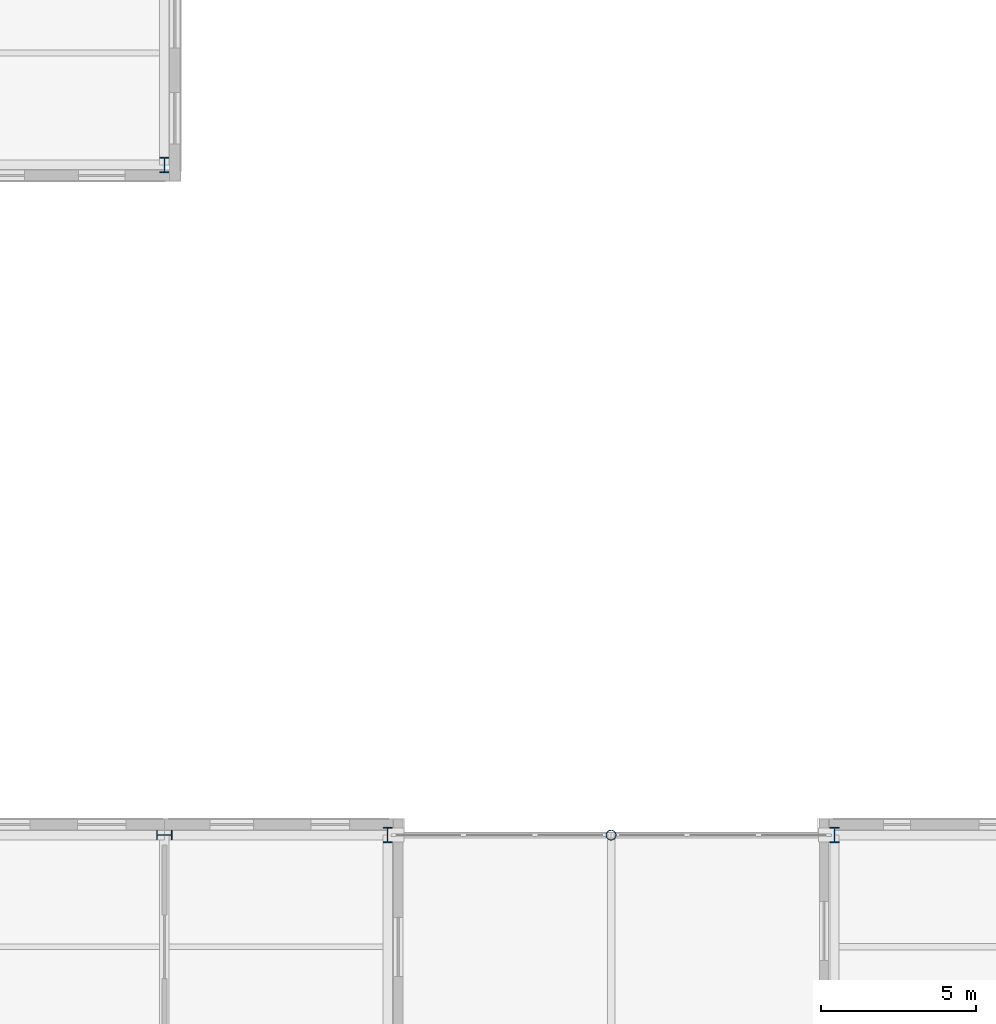
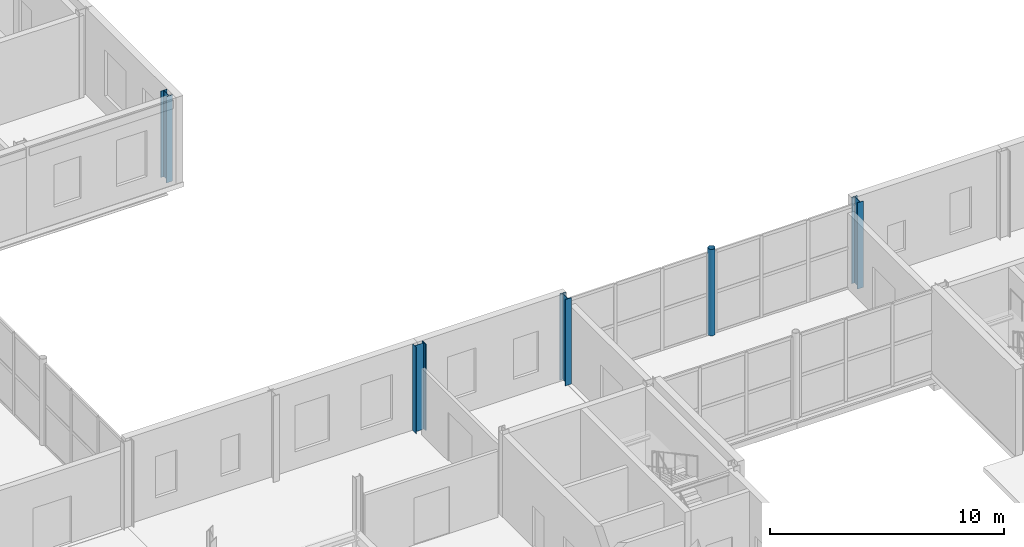
# One storey, part 4 of 92: 5 columns.
"""IFC4 building model written with IfcOpenShell, lengths in metres."""

from ifc_helpers import new_model, si_unit, direction, frame, origin, origin_2d, place, context, subcontext, project, spatial, hollow_circle, i_section, extrude, material, material_profile, profile_set, type_object, element, save


model = new_model("IFC4")

# Units and contexts
model_context = context("Model", 3, precision=1e-05, world=origin(), true_north=direction((0.0, 1.0)))
body_context = subcontext(model_context, "Body", "Model", "MODEL_VIEW")
ifc_project = project(units=[si_unit("LENGTHUNIT", "METRE"), si_unit("AREAUNIT", "SQUARE_METRE"), si_unit("VOLUMEUNIT", "CUBIC_METRE"), si_unit("PLANEANGLEUNIT", "RADIAN"), si_unit("MASSUNIT", "GRAM", prefix="KILO")], contexts=[model_context])

# Site, building, storey
site_placement = place(None, origin())
site = spatial("IfcSite", under=ifc_project, at=site_placement, CompositionType="ELEMENT")
building_placement = place(site_placement, origin())
building = spatial("IfcBuilding", under=site, at=building_placement, Name="Zlatovets Crest Museum", CompositionType="ELEMENT")
storey_placement = place(building_placement, origin())
storey = spatial("IfcBuildingStorey", under=building, at=storey_placement, Name="L00", CompositionType="ELEMENT", Elevation=0.0)

# Columns
ifc_material = material(Name="Structural steel S355J2", Category="steel")
ifc_material_profile_1 = material_profile(ifc_material, i_section(OverallWidth=0.300048828125, OverallDepth=0.5, WebThickness=0.014404296875, FlangeThickness=0.028076171875, FilletRadius=0.027099609375, at=origin_2d()), Name="HEB 500")
ifc_profile_set_1 = profile_set([ifc_material_profile_1], Name="Structural steel S355J2")
column_type_1 = type_object("IfcColumnType", Name="Col_C-05", PredefinedType="COLUMN", material=ifc_profile_set_1)
for number, where, z_axis, x_axis, name in (
    (1, (57.60009765625, 28.800048828125, 0.0), (0.0, 0.0, 1.0), (1.0, 0.0, 0.0), "V2 L00 Column (57.6, 28.8)"),
    (2, (36.0, 28.800048828125, 0.0), (0.0, 0.0, 1.0), (0.0, 1.0, 0.0), "V3 L00 Column (36.0, 28.8)"),
    (3, (43.199951171875, 28.800048828125, 0.0), (0.0, 0.0, 1.0), (1.0, 0.0, 0.0), "V3 L00 Column (43.2, 28.8)"),
    (4, (36.0, 50.39990234375, 0.0), (0.0, 0.0, 1.0), (1.0, 0.0, 0.0), "V4 L00 Column (36.0, 50.4)"),
):
    element("IfcColumn", number, at=place(storey_placement, frame(where, z_axis=z_axis, x_axis=x_axis)), inside=storey, type_object=column_type_1, Name=name, PredefinedType="COLUMN", context=body_context, shape_type="SweptSolid", body=[
        extrude(i_section(OverallWidth=0.300048828125, OverallDepth=0.5, WebThickness=0.014404296875, FlangeThickness=0.028076171875, FilletRadius=0.027099609375, at=origin_2d()), origin(), (0.0, 0.0, 1.0), 4.5),
    ])
ifc_material_profile_2 = material_profile(ifc_material, hollow_circle(Radius=0.161865234375, WallThickness=0.012451171875, at=origin_2d()), Name="CHS 323.9x12.5")
ifc_profile_set_2 = profile_set([ifc_material_profile_2], Name="Structural steel S355J2")
column_type_2 = type_object("IfcColumnType", Name="Col_C-13", PredefinedType="COLUMN", material=ifc_profile_set_2)
column_placement = place(storey_placement, frame((50.39990234375, 28.800048828125, 0.0), z_axis=(0.0, 0.0, 1.0), x_axis=(1.0, 0.0, 0.0)))
element("IfcColumn", 5, at=column_placement, inside=storey, type_object=column_type_2, Name="South Forecourt Glazed Link Bridge Portal Column", PredefinedType="COLUMN", context=body_context, shape_type="SweptSolid", body=[
    extrude(hollow_circle(Radius=0.161865234375, WallThickness=0.012451171875, at=origin_2d()), origin(), (0.0, 0.0, 1.0), 4.5),
])

save(model, "model.ifc")
